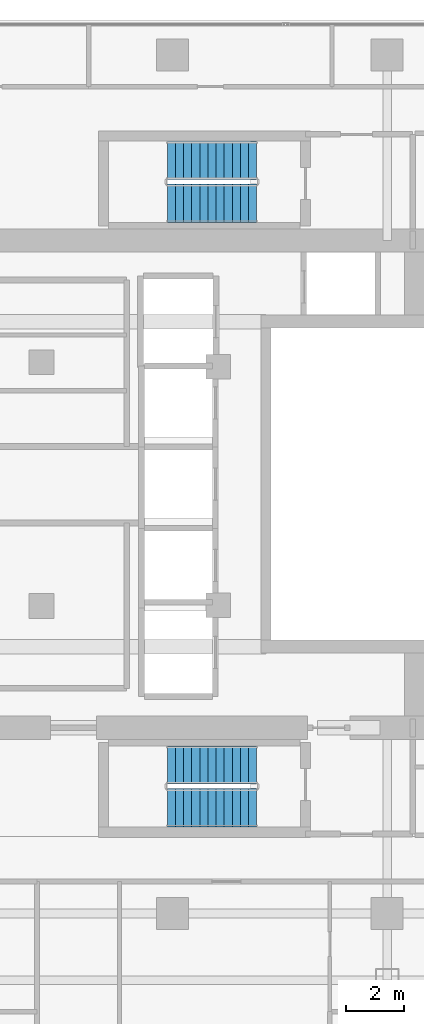
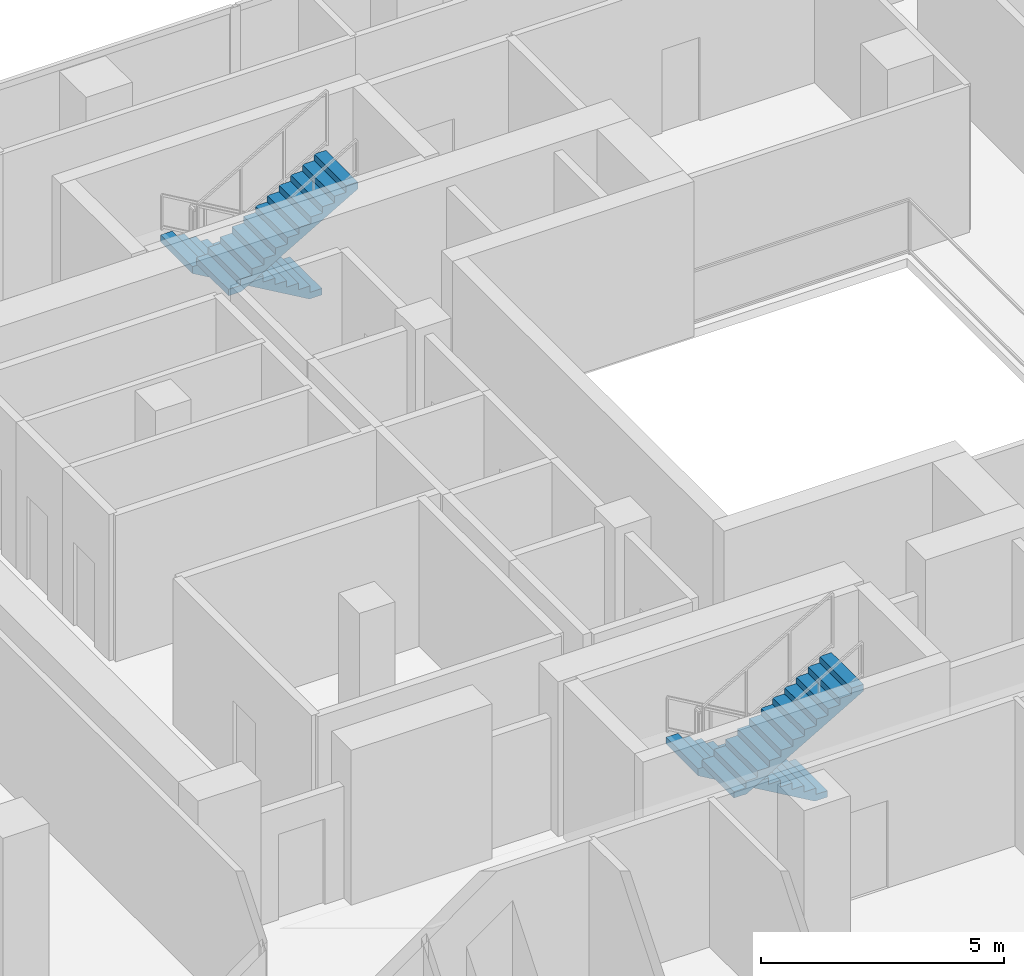
# One storey, part 24 of 27: 4 stair flights, 2 elements without a shape of their own.
"""IFC4 building model written with IfcOpenShell, lengths in metres."""

from ifc_helpers import new_model, si_unit, direction, frame, origin, place, context, subcontext, project, spatial, polyline, outline, extrude, material, type_object, element, aggregate, save


model = new_model("IFC4")

# Units and contexts
model_context = context("Model", 3, precision=1e-05, world=origin(), true_north=direction((0.0, 1.0)))
body_context = subcontext(model_context, "Body", "Model", "MODEL_VIEW")
ifc_project = project(units=[si_unit("LENGTHUNIT", "METRE"), si_unit("AREAUNIT", "SQUARE_METRE"), si_unit("VOLUMEUNIT", "CUBIC_METRE"), si_unit("PLANEANGLEUNIT", "RADIAN"), si_unit("MASSUNIT", "GRAM", prefix="KILO")], contexts=[model_context])

# Site, building, storey
site_placement = place(None, origin())
site = spatial("IfcSite", under=ifc_project, at=site_placement, CompositionType="ELEMENT")
building_placement = place(site_placement, origin())
building = spatial("IfcBuilding", under=site, at=building_placement, Name="Khorvyn Point Tower", CompositionType="ELEMENT")
storey_placement = place(building_placement, frame((0.0, 0.0, 227.39990234375)))
storey = spatial("IfcBuildingStorey", under=building, at=storey_placement, Name="L56", CompositionType="ELEMENT", Elevation=227.39990234375)

# Stair, stair flights
ifc_material = material(Name="Concrete C40/50", Category="concrete")
stair_type = type_object("IfcStairType", Name="Tower Concrete C40/50 Dogleg Exit Stair", PredefinedType="HALF_TURN_STAIR", material=ifc_material)
stair_1_placement = place(storey_placement, origin())
stair_1 = element("IfcStair", 1, at=stair_1_placement, inside=storey, type_object=stair_type, Name="L56 Tower Smokeproof Exit Stair South", PredefinedType="HALF_TURN_STAIR")
stair_flight_type = type_object("IfcStairFlightType", Name="Tower Concrete C40/50 Stair Flight", PredefinedType="STRAIGHT", material=ifc_material)
stair_flight_1_placement = place(storey_placement, frame((2.89990234375, -9.679931640625, 0.0), z_axis=(0.0, 0.0, 1.0), x_axis=(-1.0, 0.0, 0.0)))
stair_flight_1 = element("IfcStairFlight", 2, at=stair_flight_1_placement, type_object=stair_flight_type, Name="ST-01 flight 1", NumberOfRisers=12, NumberOfTreads=11, PredefinedType="STRAIGHT", RiserHeight=0.1625, TreadLength=0.28, context=body_context, shape_type="SweptSolid", body=[
    extrude(outline(polyline([(0.0, 0.0), (0.0, 0.16259765625), (0.280029296875, 0.16259765625), (0.280029296875, 0.324951171875), (0.56005859375, 0.324951171875), (0.56005859375, 0.487548828125), (0.840087890625, 0.487548828125), (0.840087890625, 0.64990234375), (1.1201171875, 0.64990234375), (1.1201171875, 0.8125), (1.39990234375, 0.8125), (1.39990234375, 0.97509765625), (1.679931640625, 0.97509765625), (1.679931640625, 1.137451171875), (1.9599609375, 1.137451171875), (1.9599609375, 1.300048828125), (2.239990234375, 1.300048828125), (2.239990234375, 1.46240234375), (2.52001953125, 1.46240234375), (2.52001953125, 1.625), (2.800048828125, 1.625), (2.800048828125, 1.78759765625), (3.080078125, 1.78759765625), (3.080078125, 1.949951171875), (3.080078125, 1.6142578125), (0.298583984375, 0.0), (0.0, 0.0)])), frame((0.0, 0.66015625, 0.0), z_axis=(0.0, -1.0, 0.0), x_axis=(1.0, 0.0, 0.0)), (0.0, 0.0, 1.0), 1.320068359375),
])
stair_flight_2_placement = place(storey_placement, frame((-0.179931640625, -11.159912109375, 1.9501953125), z_axis=(0.0, 0.0, 1.0), x_axis=(1.0, 0.0, 0.0)))
stair_flight_2 = element("IfcStairFlight", 3, at=stair_flight_2_placement, type_object=stair_flight_type, Name="ST-01 flight 2", NumberOfRisers=12, NumberOfTreads=11, PredefinedType="STRAIGHT", RiserHeight=0.1625, TreadLength=0.28, context=body_context, shape_type="SweptSolid", body=[
    extrude(outline(polyline([(0.0, 0.0), (0.0, 0.16259765625), (0.280029296875, 0.16259765625), (0.280029296875, 0.324951171875), (0.56005859375, 0.324951171875), (0.56005859375, 0.487548828125), (0.840087890625, 0.487548828125), (0.840087890625, 0.64990234375), (1.1201171875, 0.64990234375), (1.1201171875, 0.8125), (1.39990234375, 0.8125), (1.39990234375, 0.97509765625), (1.679931640625, 0.97509765625), (1.679931640625, 1.137451171875), (1.9599609375, 1.137451171875), (1.9599609375, 1.300048828125), (2.239990234375, 1.300048828125), (2.239990234375, 1.46240234375), (2.52001953125, 1.46240234375), (2.52001953125, 1.625), (2.800048828125, 1.625), (2.800048828125, 1.78759765625), (3.080078125, 1.78759765625), (3.080078125, 1.949951171875), (3.080078125, 1.6142578125), (0.298583984375, 0.0), (0.0, 0.0)])), frame((0.0, 0.66015625, 0.0), z_axis=(0.0, -1.0, 0.0), x_axis=(1.0, 0.0, 0.0)), (0.0, 0.0, 1.0), 1.320068359375),
])
aggregate(stair_1, [stair_flight_1, stair_flight_2])

stair_2_placement = place(storey_placement, origin())
stair_2 = element("IfcStair", 4, at=stair_2_placement, inside=storey, type_object=stair_type, Name="L56 Tower Smokeproof Exit Stair North", PredefinedType="HALF_TURN_STAIR")
stair_flight_3_placement = place(storey_placement, frame((2.89990234375, 11.159912109375, 0.0), z_axis=(0.0, 0.0, 1.0), x_axis=(-1.0, 0.0, 0.0)))
stair_flight_3 = element("IfcStairFlight", 5, at=stair_flight_3_placement, type_object=stair_flight_type, Name="ST-02 flight 1", NumberOfRisers=12, NumberOfTreads=11, PredefinedType="STRAIGHT", RiserHeight=0.1625, TreadLength=0.28, context=body_context, shape_type="SweptSolid", body=[
    extrude(outline(polyline([(0.0, 0.0), (0.0, 0.16259765625), (0.280029296875, 0.16259765625), (0.280029296875, 0.324951171875), (0.56005859375, 0.324951171875), (0.56005859375, 0.487548828125), (0.840087890625, 0.487548828125), (0.840087890625, 0.64990234375), (1.1201171875, 0.64990234375), (1.1201171875, 0.8125), (1.39990234375, 0.8125), (1.39990234375, 0.97509765625), (1.679931640625, 0.97509765625), (1.679931640625, 1.137451171875), (1.9599609375, 1.137451171875), (1.9599609375, 1.300048828125), (2.239990234375, 1.300048828125), (2.239990234375, 1.46240234375), (2.52001953125, 1.46240234375), (2.52001953125, 1.625), (2.800048828125, 1.625), (2.800048828125, 1.78759765625), (3.080078125, 1.78759765625), (3.080078125, 1.949951171875), (3.080078125, 1.6142578125), (0.298583984375, 0.0), (0.0, 0.0)])), frame((0.0, 0.66015625, 0.0), z_axis=(0.0, -1.0, 0.0), x_axis=(1.0, 0.0, 0.0)), (0.0, 0.0, 1.0), 1.320068359375),
])
stair_flight_4_placement = place(storey_placement, frame((-0.179931640625, 9.679931640625, 1.9501953125), z_axis=(0.0, 0.0, 1.0), x_axis=(1.0, 0.0, 0.0)))
stair_flight_4 = element("IfcStairFlight", 6, at=stair_flight_4_placement, type_object=stair_flight_type, Name="ST-02 flight 2", NumberOfRisers=12, NumberOfTreads=11, PredefinedType="STRAIGHT", RiserHeight=0.1625, TreadLength=0.28, context=body_context, shape_type="SweptSolid", body=[
    extrude(outline(polyline([(0.0, 0.0), (0.0, 0.16259765625), (0.280029296875, 0.16259765625), (0.280029296875, 0.324951171875), (0.56005859375, 0.324951171875), (0.56005859375, 0.487548828125), (0.840087890625, 0.487548828125), (0.840087890625, 0.64990234375), (1.1201171875, 0.64990234375), (1.1201171875, 0.8125), (1.39990234375, 0.8125), (1.39990234375, 0.97509765625), (1.679931640625, 0.97509765625), (1.679931640625, 1.137451171875), (1.9599609375, 1.137451171875), (1.9599609375, 1.300048828125), (2.239990234375, 1.300048828125), (2.239990234375, 1.46240234375), (2.52001953125, 1.46240234375), (2.52001953125, 1.625), (2.800048828125, 1.625), (2.800048828125, 1.78759765625), (3.080078125, 1.78759765625), (3.080078125, 1.949951171875), (3.080078125, 1.6142578125), (0.298583984375, 0.0), (0.0, 0.0)])), frame((0.0, 0.66015625, 0.0), z_axis=(0.0, -1.0, 0.0), x_axis=(1.0, 0.0, 0.0)), (0.0, 0.0, 1.0), 1.320068359375),
])
aggregate(stair_2, [stair_flight_3, stair_flight_4])

save(model, "model.ifc")
